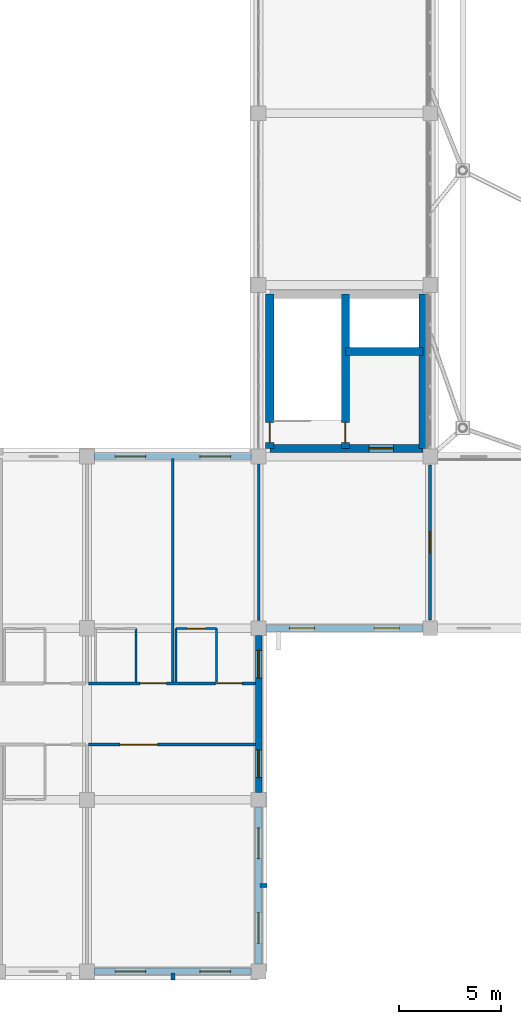
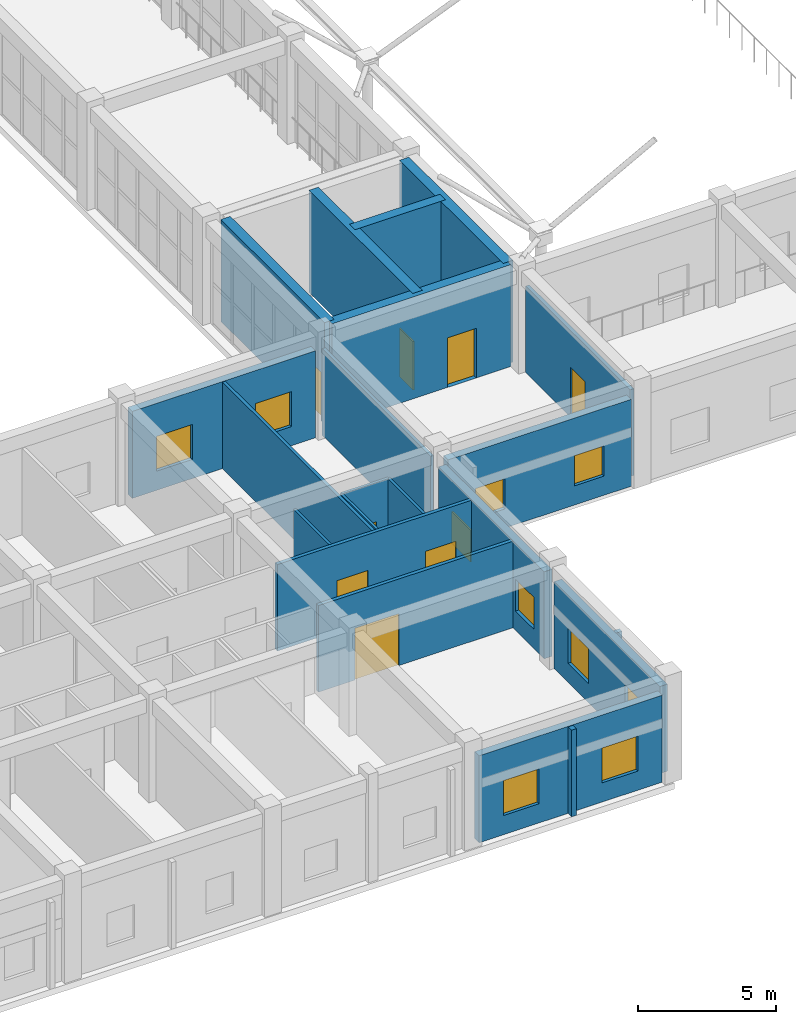
# One storey, part 135 of 158: 21 walls, 10 windows, 8 doors, 18 openings.
"""IFC4 building model written with IfcOpenShell, lengths in metres."""

from ifc_helpers import new_model, si_unit, direction, frame, frame_2d, origin, place, context, subcontext, project, spatial, rectangle, extrude, material, layer, layer_set, type_object, element, fill, save


model = new_model("IFC4")

# Units and contexts
model_context = context("Model", 3, precision=1e-05, world=origin(), true_north=direction((0.0, 1.0)))
body_context = subcontext(model_context, "Body", "Model", "MODEL_VIEW")
ifc_project = project(units=[si_unit("LENGTHUNIT", "METRE"), si_unit("AREAUNIT", "SQUARE_METRE"), si_unit("VOLUMEUNIT", "CUBIC_METRE"), si_unit("PLANEANGLEUNIT", "RADIAN"), si_unit("MASSUNIT", "GRAM", prefix="KILO")], contexts=[model_context])

# Site, building, storey
site_placement = place(None, origin())
site = spatial("IfcSite", under=ifc_project, at=site_placement, CompositionType="ELEMENT")
building_placement = place(site_placement, origin())
building = spatial("IfcBuilding", under=site, at=building_placement, Name="Trelvath General Hospital", CompositionType="ELEMENT")
storey_placement = place(building_placement, frame((0.0, 0.0, 8.10009765625)))
storey = spatial("IfcBuildingStorey", under=building, at=storey_placement, Name="L02", CompositionType="ELEMENT", Elevation=8.10009765625)

# Walls
ifc_material_1 = material(Name="Precast concrete C40/50", Category="concrete")
ifc_layer_1 = layer(ifc_material_1, 0.199951171875)
ifc_layer_set_1 = layer_set([ifc_layer_1], Name="Precast concrete C40/50")
wall_type_1 = type_object("IfcWallType", Name="BriseSoleilRib 200", PredefinedType="ELEMENTEDWALL", material=ifc_layer_set_1)
wall_1_placement = place(storey_placement, frame((130.199951171875, -0.074951171875, 0.0), z_axis=(0.0, 0.0, 1.0), x_axis=(0.0, -1.0, 0.0)))
element("IfcWall", 1, at=wall_1_placement, inside=storey, type_object=wall_type_1, Name="Precast Concrete Brise-Soleil Rib Fin L02-219", PredefinedType="ELEMENTEDWALL", context=body_context, shape_type="SweptSolid", body=[
    extrude(rectangle(XDim=0.340087890625, YDim=0.199951171875, at=frame_2d((0.169921875, 0.0))), origin(), (0.0, 0.0, 1.0), 3.83984375),
])
wall_2_placement = place(storey_placement, frame((134.47509765625, 4.199951171875, 0.0), z_axis=(0.0, 0.0, 1.0), x_axis=(1.0, 0.0, 0.0)))
element("IfcWall", 2, at=wall_2_placement, inside=storey, type_object=wall_type_1, Name="Precast Concrete Brise-Soleil Rib Fin L02-220", PredefinedType="ELEMENTEDWALL", context=body_context, shape_type="SweptSolid", body=[
    extrude(rectangle(XDim=0.33984375, YDim=0.199951171875, at=frame_2d((0.169921875, 0.0))), origin(), (0.0, 0.0, 1.0), 3.83984375),
])

# Wall, opening, door
ifc_material_2 = material(Name="Gypsum acoustic steel-stud partition", Category="steel")
ifc_layer_2 = layer(ifc_material_2, 0.14990234375)
ifc_layer_set_2 = layer_set([ifc_layer_2], Name="Gypsum acoustic steel-stud partition")
wall_type_2 = type_object("IfcWallType", Name="ClinicalPartition 150", PredefinedType="PARTITIONING", material=ifc_layer_set_2)
wall_3_placement = place(storey_placement, frame((126.080078125, 11.10009765625, 0.0), z_axis=(0.0, 0.0, 1.0), x_axis=(1.0, 0.0, 0.0)))
wall_3 = element("IfcWall", 3, at=wall_3_placement, inside=storey, type_object=wall_type_2, Name="Corridor Partition L02-845", PredefinedType="PARTITIONING", context=body_context, shape_type="SweptSolid", body=[
    extrude(rectangle(XDim=8.179931640625, YDim=0.14990234375, at=frame_2d((4.08984375, 0.0))), origin(), (0.0, 0.0, 1.0), 3.83984375),
])
opening_1_placement = place(wall_3_placement, frame((1.530029296875, 0.0, 0.0)))
opening_1 = element("IfcOpeningElement", 4, at=opening_1_placement, cuts=wall_3, Name="Opening D-2-0708", PredefinedType="OPENING", context=body_context, shape_type="SweptSolid", body=[
    extrude(rectangle(XDim=1.85009765625, YDim=2.300048828125, at=frame_2d((0.925048828125, 1.14990234375))), frame((0.0, 0.0849609375, 0.0), z_axis=(0.0, -1.0, 0.0), x_axis=(1.0, 0.0, 0.0)), (0.0, 0.0, 1.0), 0.169921875),
])
ifc_material_3 = material(Name="Fire-rated steel cross-corridor pair", Category="steel")
door_type_1 = type_object("IfcDoorType", Name="Door SmokeCross 1850x2300", OperationType="DOUBLE_SWING_LEFT", PredefinedType="DOOR", material=ifc_material_3)
door_1_placement = place(opening_1_placement, origin())
door_1 = element("IfcDoor", 5, at=door_1_placement, inside=storey, type_object=door_type_1, Name="Waiting Lounge Door L02-708", OperationType="DOUBLE_SWING_LEFT", OverallHeight=2.300048828125, OverallWidth=1.85009765625, PredefinedType="DOOR", context=body_context, shape_type="SweptSolid", body=[
    extrude(rectangle(XDim=1.85009765625, YDim=2.300048828125, at=frame_2d((0.925048828125, 1.14990234375))), frame((0.0, 0.02490234375, 0.0), z_axis=(0.0, -1.0, 0.0), x_axis=(1.0, 0.0, 0.0)), (0.0, 0.0, 1.0), 0.050048828125),
])
fill(opening_1, door_1)

# Wall, openings, doors
wall_4_placement = place(storey_placement, frame((134.260009765625, 14.10009765625, 0.0), z_axis=(0.0, 0.0, 1.0), x_axis=(-1.0, 0.0, 0.0)))
wall_4 = element("IfcWall", 6, at=wall_4_placement, inside=storey, type_object=wall_type_2, Name="Corridor Partition N L02-846", PredefinedType="PARTITIONING", context=body_context, shape_type="SweptSolid", body=[
    extrude(rectangle(XDim=8.179931640625, YDim=0.14990234375, at=frame_2d((4.08984375, 0.0))), origin(), (0.0, 0.0, 1.0), 3.83984375),
])
opening_2_placement = place(wall_4_placement, frame((0.669921875, 0.0, 0.0)))
opening_2 = element("IfcOpeningElement", 7, at=opening_2_placement, cuts=wall_4, Name="Opening D-2-0709", PredefinedType="OPENING", context=body_context, shape_type="SweptSolid", body=[
    extrude(rectangle(XDim=1.300048828125, YDim=2.25, at=frame_2d((0.64990234375, 1.125))), frame((0.0, 0.0849609375, 0.0), z_axis=(0.0, -1.0, 0.0), x_axis=(1.0, 0.0, 0.0)), (0.0, 0.0, 1.0), 0.169921875),
])
opening_3_placement = place(wall_4_placement, frame((4.3701171875, 0.0, 0.0)))
opening_3 = element("IfcOpeningElement", 8, at=opening_3_placement, cuts=wall_4, Name="Opening D-2-0710", PredefinedType="OPENING", context=body_context, shape_type="SweptSolid", body=[
    extrude(rectangle(XDim=1.300048828125, YDim=2.25, at=frame_2d((0.64990234375, 1.125))), frame((0.0, 0.0849609375, 0.0), z_axis=(0.0, -1.0, 0.0), x_axis=(1.0, 0.0, 0.0)), (0.0, 0.0, 1.0), 0.169921875),
])
ifc_material_4 = material(Name="Hospital bed-leaf timber door", Category="wood")
door_type_2 = type_object("IfcDoorType", Name="Door PatientBed 1300x2250", OperationType="NOTDEFINED", PredefinedType="DOOR", material=ifc_material_4)
door_2_placement = place(opening_2_placement, origin())
door_2 = element("IfcDoor", 9, at=door_2_placement, inside=storey, type_object=door_type_2, Name="Patient Room Door N L02-709", OperationType="SINGLE_SWING_LEFT", OverallHeight=2.25, OverallWidth=1.300048828125, PredefinedType="DOOR", context=body_context, shape_type="SweptSolid", body=[
    extrude(rectangle(XDim=1.300048828125, YDim=2.25, at=frame_2d((0.64990234375, 1.125))), frame((0.0, 0.02490234375, 0.0), z_axis=(0.0, -1.0, 0.0), x_axis=(1.0, 0.0, 0.0)), (0.0, 0.0, 1.0), 0.050048828125),
])
fill(opening_2, door_2)
door_3_placement = place(opening_3_placement, origin())
door_3 = element("IfcDoor", 10, at=door_3_placement, inside=storey, type_object=door_type_2, Name="Patient Room Door N L02-710", OperationType="SINGLE_SWING_LEFT", OverallHeight=2.25, OverallWidth=1.300048828125, PredefinedType="DOOR", context=body_context, shape_type="SweptSolid", body=[
    extrude(rectangle(XDim=1.300048828125, YDim=2.25, at=frame_2d((0.64990234375, 1.125))), frame((0.0, 0.02490234375, 0.0), z_axis=(0.0, -1.0, 0.0), x_axis=(1.0, 0.0, 0.0)), (0.0, 0.0, 1.0), 0.050048828125),
])
fill(opening_3, door_3)

# Wall, opening, door
wall_5_placement = place(storey_placement, frame((142.800048828125, 17.199951171875, 0.0), z_axis=(0.0, 0.0, 1.0), x_axis=(0.0, 1.0, 0.0)))
wall_5 = element("IfcWall", 11, at=wall_5_placement, inside=storey, type_object=wall_type_2, Name="Comm Health L02 Partition L02-1049", PredefinedType="PARTITIONING", context=body_context, shape_type="SweptSolid", body=[
    extrude(rectangle(XDim=7.60009765625, YDim=0.14990234375, at=frame_2d((3.800048828125, 0.0))), origin(), (0.0, 0.0, 1.0), 3.83984375),
])
opening_4_placement = place(wall_5_placement, frame((3.27490234375, 0.0, 0.0)))
opening_4 = element("IfcOpeningElement", 12, at=opening_4_placement, cuts=wall_5, Name="Opening D-2-0808", PredefinedType="OPENING", context=body_context, shape_type="SweptSolid", body=[
    extrude(rectangle(XDim=1.050048828125, YDim=2.199951171875, at=frame_2d((0.52490234375, 1.10009765625))), frame((0.0, 0.0849609375, 0.0), z_axis=(0.0, -1.0, 0.0), x_axis=(1.0, 0.0, 0.0)), (0.0, 0.0, 1.0), 0.169921875),
])
ifc_material_5 = material(Name="Acoustic hospital timber leaf", Category="wood")
door_type_3 = type_object("IfcDoorType", Name="Door Consult 1050x2200", OperationType="NOTDEFINED", PredefinedType="DOOR", material=ifc_material_5)
door_4_placement = place(opening_4_placement, origin())
door_4 = element("IfcDoor", 13, at=door_4_placement, inside=storey, type_object=door_type_3, Name="Comm Health L02 Door L02-808", OperationType="SINGLE_SWING_RIGHT", OverallHeight=2.199951171875, OverallWidth=1.050048828125, PredefinedType="DOOR", context=body_context, shape_type="SweptSolid", body=[
    extrude(rectangle(XDim=1.050048828125, YDim=2.199951171875, at=frame_2d((0.52490234375, 1.10009765625))), frame((0.0, 0.02490234375, 0.0), z_axis=(0.0, -1.0, 0.0), x_axis=(1.0, 0.0, 0.0)), (0.0, 0.0, 1.0), 0.050048828125),
])
fill(opening_4, door_4)

ifc_material_6 = material(Name="Concrete C40/50", Category="concrete")
ifc_layer_3 = layer(ifc_material_6, 0.39990234375)
ifc_layer_set_3 = layer_set([ifc_layer_3], Name="Concrete C40/50")
wall_type_3 = type_object("IfcWallType", Name="CoreShearWall 400", PredefinedType="SHEAR", material=ifc_layer_set_3)
wall_6_placement = place(storey_placement, frame((134.949951171875, 25.60009765625, 0.0), z_axis=(0.0, 0.0, 1.0), x_axis=(1.0, 0.0, 0.0)))
wall_6 = element("IfcWall", 14, at=wall_6_placement, inside=storey, type_object=wall_type_3, Name="Core Shear Wall C7 S L02", PredefinedType="SHEAR", context=body_context, shape_type="SweptSolid", body=[
    extrude(rectangle(XDim=7.5, YDim=0.39990234375, at=frame_2d((3.75, 0.0))), origin(), (0.0, 0.0, 1.0), 4.52001953125),
])
opening_5_placement = place(wall_6_placement, frame((4.85009765625, 0.0, 0.0)))
opening_5 = element("IfcOpeningElement", 15, at=opening_5_placement, cuts=wall_6, Name="Opening FD-LS72", PredefinedType="OPENING", context=body_context, shape_type="SweptSolid", body=[
    extrude(rectangle(XDim=1.199951171875, YDim=2.199951171875, at=frame_2d((0.60009765625, 1.10009765625))), frame((0.0, 0.2099609375, 0.0), z_axis=(0.0, -1.0, 0.0), x_axis=(1.0, 0.0, 0.0)), (0.0, 0.0, 1.0), 0.419921875),
])
ifc_material_7 = material(Name="Fire-rated steel door", Category="steel")
door_type_4 = type_object("IfcDoorType", Name="Door FireLobby 1200x2200", OperationType="NOTDEFINED", PredefinedType="DOOR", material=ifc_material_7)
door_5_placement = place(opening_5_placement, origin())
door_5 = element("IfcDoor", 16, at=door_5_placement, inside=storey, type_object=door_type_4, Name="Fire Lobby South Concourse Door C7 L02", OperationType="SINGLE_SWING_LEFT", OverallHeight=2.199951171875, OverallWidth=1.199951171875, PredefinedType="DOOR", context=body_context, shape_type="SweptSolid", body=[
    extrude(rectangle(XDim=1.199951171875, YDim=2.199951171875, at=frame_2d((0.60009765625, 1.10009765625))), frame((0.0, 0.02490234375, 0.0), z_axis=(0.0, -1.0, 0.0), x_axis=(1.0, 0.0, 0.0)), (0.0, 0.0, 1.0), 0.050048828125),
])
fill(opening_5, door_5)

wall_7_placement = place(storey_placement, frame((134.949951171875, 25.60009765625, 0.0), z_axis=(0.0, 0.0, 1.0), x_axis=(0.0, 1.0, 0.0)))
wall_7 = element("IfcWall", 17, at=wall_7_placement, inside=storey, type_object=wall_type_3, Name="Core Shear Wall C7 W L02", PredefinedType="SHEAR", context=body_context, shape_type="SweptSolid", body=[
    extrude(rectangle(XDim=7.5498046875, YDim=0.39990234375, at=frame_2d((3.77490234375, 0.0))), origin(), (0.0, 0.0, 1.0), 4.52001953125),
])
opening_6_placement = place(wall_7_placement, frame((0.280029296875, 0.0, 0.0)))
opening_6 = element("IfcOpeningElement", 18, at=opening_6_placement, cuts=wall_7, Name="Opening FD-SW72", PredefinedType="OPENING", context=body_context, shape_type="SweptSolid", body=[
    extrude(rectangle(XDim=1.0, YDim=2.14990234375, at=frame_2d((0.5, 1.074951171875))), frame((0.0, 0.2099609375, 0.0), z_axis=(0.0, -1.0, 0.0), x_axis=(1.0, 0.0, 0.0)), (0.0, 0.0, 1.0), 0.419921875),
])
ifc_material_8 = material(Name="Fire-rated steel door", Category="steel")
door_type_5 = type_object("IfcDoorType", Name="Door FireStair 1100x2150", OperationType="NOTDEFINED", PredefinedType="DOOR", material=ifc_material_8)
door_6_placement = place(opening_6_placement, origin())
door_6 = element("IfcDoor", 19, at=door_6_placement, inside=storey, type_object=door_type_5, Name="East Concourse Stair Door ST7 L02", OperationType="SINGLE_SWING_RIGHT", OverallHeight=2.14990234375, OverallWidth=1.0, PredefinedType="DOOR", context=body_context, shape_type="SweptSolid", body=[
    extrude(rectangle(XDim=1.0, YDim=2.14990234375, at=frame_2d((0.5, 1.074951171875))), frame((0.0, 0.02490234375, 0.0), z_axis=(0.0, -1.0, 0.0), x_axis=(1.0, 0.0, 0.0)), (0.0, 0.0, 1.0), 0.050048828125),
])
fill(opening_6, door_6)

# Wall
wall_8_placement = place(storey_placement, frame((142.449951171875, 25.60009765625, 0.0), z_axis=(0.0, 0.0, 1.0), x_axis=(0.0, 1.0, 0.0)))
element("IfcWall", 20, at=wall_8_placement, inside=storey, type_object=wall_type_3, Name="Core Shear Wall C7 E L02", PredefinedType="SHEAR", context=body_context, shape_type="SweptSolid", body=[
    extrude(rectangle(XDim=7.5498046875, YDim=0.39990234375, at=frame_2d((3.77490234375, 0.0))), origin(), (0.0, 0.0, 1.0), 4.52001953125),
])

# Wall, opening, door
wall_9_placement = place(storey_placement, frame((138.64990234375, 25.60009765625, 0.0), z_axis=(0.0, 0.0, 1.0), x_axis=(0.0, 1.0, 0.0)))
wall_9 = element("IfcWall", 21, at=wall_9_placement, inside=storey, type_object=wall_type_3, Name="Core Shear Wall C7 SPINE L02", PredefinedType="SHEAR", context=body_context, shape_type="SweptSolid", body=[
    extrude(rectangle(XDim=7.5498046875, YDim=0.39990234375, at=frame_2d((3.77490234375, 0.0))), origin(), (0.0, 0.0, 1.0), 4.52001953125),
])
opening_7_placement = place(wall_9_placement, frame((0.280029296875, 0.0, 0.0)))
opening_7 = element("IfcOpeningElement", 22, at=opening_7_placement, cuts=wall_9, Name="Opening FD-S72", PredefinedType="OPENING", context=body_context, shape_type="SweptSolid", body=[
    extrude(rectangle(XDim=1.0, YDim=2.14990234375, at=frame_2d((0.5, 1.074951171875))), frame((0.0, 0.2099609375, 0.0), z_axis=(0.0, -1.0, 0.0), x_axis=(1.0, 0.0, 0.0)), (0.0, 0.0, 1.0), 0.419921875),
])
door_7_placement = place(opening_7_placement, origin())
door_7 = element("IfcDoor", 23, at=door_7_placement, inside=storey, type_object=door_type_5, Name="Exit Stair Door ST7 L02", OperationType="SINGLE_SWING_LEFT", OverallHeight=2.14990234375, OverallWidth=1.0, PredefinedType="DOOR", context=body_context, shape_type="SweptSolid", body=[
    extrude(rectangle(XDim=1.0, YDim=2.14990234375, at=frame_2d((0.5, 1.074951171875))), frame((0.0, 0.02490234375, 0.0), z_axis=(0.0, -1.0, 0.0), x_axis=(1.0, 0.0, 0.0)), (0.0, 0.0, 1.0), 0.050048828125),
])
fill(opening_7, door_7)

# Walls
wall_10_placement = place(storey_placement, frame((138.64990234375, 30.35009765625, 0.0), z_axis=(0.0, 0.0, 1.0), x_axis=(1.0, 0.0, 0.0)))
element("IfcWall", 24, at=wall_10_placement, inside=storey, type_object=wall_type_3, Name="Core Shear Wall C7 SHAFT L02", PredefinedType="SHEAR", context=body_context, shape_type="SweptSolid", body=[
    extrude(rectangle(XDim=3.800048828125, YDim=0.39990234375, at=frame_2d((1.89990234375, 0.0))), origin(), (0.0, 0.0, 1.0), 4.52001953125),
])
ifc_material_9 = material(Name="Moisture-resistant tile partition")
ifc_layer_4 = layer(ifc_material_9, 0.110107421875)
ifc_layer_set_4 = layer_set([ifc_layer_4], Name="Moisture-resistant tile partition")
wall_type_4 = type_object("IfcWallType", Name="EnSuiteWetWall 110", PredefinedType="PARTITIONING", material=ifc_layer_set_4)
for number, where, z_axis, x_axis, name in (
    (25, (128.39990234375, 14.169921875, 0.0), (0.0, 0.0, 1.0), (0.0, 1.0, 0.0), "En-Suite E Wall N L02-849"),
    (26, (130.360107421875, 14.169921875, 0.0), (0.0, 0.0, 1.0), (0.0, 1.0, 0.0), "En-Suite W Wall N L02-851"),
    (27, (132.340087890625, 14.169921875, 0.0), (0.0, 0.0, 1.0), (0.0, 1.0, 0.0), "En-Suite E Wall N L02-852"),
):
    element("IfcWall", number, at=place(storey_placement, frame(where, z_axis=z_axis, x_axis=x_axis)), inside=storey, type_object=wall_type_4, Name=name, PredefinedType="PARTITIONING", context=body_context, shape_type="SweptSolid", body=[
        extrude(rectangle(XDim=2.610107421875, YDim=0.110107421875, at=frame_2d((1.30517578125, 0.0))), origin(), (0.0, 0.0, 1.0), 3.83984375),
    ])

# Wall, opening, door
wall_11_placement = place(storey_placement, frame((130.360107421875, 16.780029296875, 0.0), z_axis=(0.0, 0.0, 1.0), x_axis=(1.0, 0.0, 0.0)))
wall_11 = element("IfcWall", 28, at=wall_11_placement, inside=storey, type_object=wall_type_4, Name="En-Suite Bathroom N Partition L02-853", PredefinedType="PARTITIONING", context=body_context, shape_type="SweptSolid", body=[
    extrude(rectangle(XDim=1.97998046875, YDim=0.110107421875, at=frame_2d((0.989990234375, 0.0))), origin(), (0.0, 0.0, 1.0), 3.83984375),
])
opening_8_placement = place(wall_11_placement, frame((0.5400390625, 0.0, 0.0)))
opening_8 = element("IfcOpeningElement", 29, at=opening_8_placement, cuts=wall_11, Name="Opening D-2-0712", PredefinedType="OPENING", context=body_context, shape_type="SweptSolid", body=[
    extrude(rectangle(XDim=0.89990234375, YDim=2.10009765625, at=frame_2d((0.449951171875, 1.050048828125))), frame((0.0, 0.06494140625, 0.0), z_axis=(0.0, -1.0, 0.0), x_axis=(1.0, 0.0, 0.0)), (0.0, 0.0, 1.0), 0.130126953125),
])
ifc_material_10 = material(Name="Moisture-sealed timber leaf", Category="wood")
door_type_6 = type_object("IfcDoorType", Name="Door EnSuite 900x2100", OperationType="NOTDEFINED", PredefinedType="DOOR", material=ifc_material_10)
door_8_placement = place(opening_8_placement, origin())
door_8 = element("IfcDoor", 30, at=door_8_placement, inside=storey, type_object=door_type_6, Name="En-Suite Bathroom N Door L02-712", OperationType="SINGLE_SWING_LEFT", OverallHeight=2.10009765625, OverallWidth=0.89990234375, PredefinedType="DOOR", context=body_context, shape_type="SweptSolid", body=[
    extrude(rectangle(XDim=0.89990234375, YDim=2.10009765625, at=frame_2d((0.449951171875, 1.050048828125))), frame((0.0, 0.02490234375, 0.0), z_axis=(0.0, -1.0, 0.0), x_axis=(1.0, 0.0, 0.0)), (0.0, 0.0, 1.0), 0.050048828125),
])
fill(opening_8, door_8)

# Wall, openings, windows
ifc_material_11 = material(Name="Concrete C35/45", Category="concrete")
ifc_layer_5 = layer(ifc_material_11, 0.320068359375)
ifc_layer_set_5 = layer_set([ifc_layer_5], Name="Concrete C35/45")
wall_type_5 = type_object("IfcWallType", Name="ExtThermalWall 320", PredefinedType="SOLIDWALL", material=ifc_layer_set_5)
wall_12_placement = place(storey_placement, frame((134.044921875, 0.0, 0.0), z_axis=(0.0, 0.0, 1.0), x_axis=(-1.0, 0.0, 0.0)))
wall_12 = element("IfcWall", 31, at=wall_12_placement, inside=storey, type_object=wall_type_5, Name="Exterior Concrete Wall L02-296", PredefinedType="SOLIDWALL", context=body_context, shape_type="SweptSolid", body=[
    extrude(rectangle(XDim=7.68994140625, YDim=0.320068359375, at=frame_2d((3.844970703125, 0.0))), origin(), (0.0, 0.0, 1.0), 3.85986328125),
])
opening_9_placement = place(wall_12_placement, frame((1.018798828125, 0.0, 0.85009765625)))
opening_9 = element("IfcOpeningElement", 32, at=opening_9_placement, cuts=wall_12, Name="Opening WN-2-469", PredefinedType="OPENING", context=body_context, shape_type="SweptSolid", body=[
    extrude(rectangle(XDim=1.5, YDim=1.550048828125, at=frame_2d((0.75, 0.77490234375))), frame((0.0, 0.169921875, 0.0), z_axis=(0.0, -1.0, 0.0), x_axis=(1.0, 0.0, 0.0)), (0.0, 0.0, 1.0), 0.340087890625),
])
opening_10_placement = place(wall_12_placement, frame((5.17138671875, 0.0, 0.85009765625)))
opening_10 = element("IfcOpeningElement", 33, at=opening_10_placement, cuts=wall_12, Name="Opening WN-2-470", PredefinedType="OPENING", context=body_context, shape_type="SweptSolid", body=[
    extrude(rectangle(XDim=1.5, YDim=1.550048828125, at=frame_2d((0.75, 0.77490234375))), frame((0.0, 0.169921875, 0.0), z_axis=(0.0, -1.0, 0.0), x_axis=(1.0, 0.0, 0.0)), (0.0, 0.0, 1.0), 0.340087890625),
])
ifc_material_12 = material(Name="Low-E laminated glass", Category="glass")
window_type_1 = type_object("IfcWindowType", Name="Window Ortho 1500x1550", PartitioningType="DOUBLE_PANEL_VERTICAL", PredefinedType="WINDOW", material=ifc_material_12)
window_1_placement = place(opening_9_placement, origin())
window_1 = element("IfcWindow", 34, at=window_1_placement, inside=storey, type_object=window_type_1, Name="Solar Reveal Window L02-469", OverallHeight=1.550048828125, OverallWidth=1.5, PartitioningType="SINGLE_PANEL", PredefinedType="WINDOW", context=body_context, shape_type="SweptSolid", body=[
    extrude(rectangle(XDim=1.5, YDim=1.550048828125, at=frame_2d((0.75, 0.77490234375))), frame((0.0, 0.030029296875, 0.0), z_axis=(0.0, -1.0, 0.0), x_axis=(1.0, 0.0, 0.0)), (0.0, 0.0, 1.0), 0.06005859375),
])
fill(opening_9, window_1)
window_2_placement = place(opening_10_placement, origin())
window_2 = element("IfcWindow", 35, at=window_2_placement, inside=storey, type_object=window_type_1, Name="Solar Reveal Window L02-470", OverallHeight=1.550048828125, OverallWidth=1.5, PartitioningType="SINGLE_PANEL", PredefinedType="WINDOW", context=body_context, shape_type="SweptSolid", body=[
    extrude(rectangle(XDim=1.5, YDim=1.550048828125, at=frame_2d((0.75, 0.77490234375))), frame((0.0, 0.030029296875, 0.0), z_axis=(0.0, -1.0, 0.0), x_axis=(1.0, 0.0, 0.0)), (0.0, 0.0, 1.0), 0.06005859375),
])
fill(opening_10, window_2)

wall_13_placement = place(storey_placement, frame((134.39990234375, 8.044921875, 0.0), z_axis=(0.0, 0.0, 1.0), x_axis=(0.0, -1.0, 0.0)))
wall_13 = element("IfcWall", 36, at=wall_13_placement, inside=storey, type_object=wall_type_5, Name="Exterior Concrete Wall L02-297", PredefinedType="SOLIDWALL", context=body_context, shape_type="SweptSolid", body=[
    extrude(rectangle(XDim=7.68994140625, YDim=0.320068359375, at=frame_2d((3.844970703125, 0.0))), origin(), (0.0, 0.0, 1.0), 3.85986328125),
])
opening_11_placement = place(wall_13_placement, frame((1.018798828125, 0.0, 0.85009765625)))
opening_11 = element("IfcOpeningElement", 37, at=opening_11_placement, cuts=wall_13, Name="Opening WN-2-471", PredefinedType="OPENING", context=body_context, shape_type="SweptSolid", body=[
    extrude(rectangle(XDim=1.5, YDim=1.550048828125, at=frame_2d((0.75, 0.77490234375))), frame((0.0, 0.169921875, 0.0), z_axis=(0.0, -1.0, 0.0), x_axis=(1.0, 0.0, 0.0)), (0.0, 0.0, 1.0), 0.340087890625),
])
opening_12_placement = place(wall_13_placement, frame((5.17138671875, 0.0, 0.85009765625)))
opening_12 = element("IfcOpeningElement", 38, at=opening_12_placement, cuts=wall_13, Name="Opening WN-2-472", PredefinedType="OPENING", context=body_context, shape_type="SweptSolid", body=[
    extrude(rectangle(XDim=1.5, YDim=1.550048828125, at=frame_2d((0.75, 0.77490234375))), frame((0.0, 0.169921875, 0.0), z_axis=(0.0, -1.0, 0.0), x_axis=(1.0, 0.0, 0.0)), (0.0, 0.0, 1.0), 0.340087890625),
])
window_3_placement = place(opening_11_placement, origin())
window_3 = element("IfcWindow", 39, at=window_3_placement, inside=storey, type_object=window_type_1, Name="Solar Reveal Window L02-471", OverallHeight=1.550048828125, OverallWidth=1.5, PartitioningType="SINGLE_PANEL", PredefinedType="WINDOW", context=body_context, shape_type="SweptSolid", body=[
    extrude(rectangle(XDim=1.5, YDim=1.550048828125, at=frame_2d((0.75, 0.77490234375))), frame((0.0, 0.030029296875, 0.0), z_axis=(0.0, -1.0, 0.0), x_axis=(1.0, 0.0, 0.0)), (0.0, 0.0, 1.0), 0.06005859375),
])
fill(opening_11, window_3)
window_4_placement = place(opening_12_placement, origin())
window_4 = element("IfcWindow", 40, at=window_4_placement, inside=storey, type_object=window_type_1, Name="Solar Reveal Window L02-472", OverallHeight=1.550048828125, OverallWidth=1.5, PartitioningType="SINGLE_PANEL", PredefinedType="WINDOW", context=body_context, shape_type="SweptSolid", body=[
    extrude(rectangle(XDim=1.5, YDim=1.550048828125, at=frame_2d((0.75, 0.77490234375))), frame((0.0, 0.030029296875, 0.0), z_axis=(0.0, -1.0, 0.0), x_axis=(1.0, 0.0, 0.0)), (0.0, 0.0, 1.0), 0.06005859375),
])
fill(opening_12, window_4)

wall_14_placement = place(storey_placement, frame((134.39990234375, 16.445068359375, 0.0), z_axis=(0.0, 0.0, 1.0), x_axis=(0.0, -1.0, 0.0)))
wall_14 = element("IfcWall", 41, at=wall_14_placement, inside=storey, type_object=wall_type_5, Name="Exterior Concrete Wall L02-298", PredefinedType="SOLIDWALL", context=body_context, shape_type="SweptSolid", body=[
    extrude(rectangle(XDim=7.690185546875, YDim=0.320068359375, at=frame_2d((3.84521484375, 0.0))), origin(), (0.0, 0.0, 1.0), 3.85986328125),
])
opening_13_placement = place(wall_14_placement, frame((0.72998046875, 0.0, 0.85009765625)))
opening_13 = element("IfcOpeningElement", 42, at=opening_13_placement, cuts=wall_14, Name="Opening WN-2-473", PredefinedType="OPENING", context=body_context, shape_type="SweptSolid", body=[
    extrude(rectangle(XDim=1.360107421875, YDim=1.419921875, at=frame_2d((0.68017578125, 0.7099609375))), frame((0.0, 0.169921875, 0.0), z_axis=(0.0, -1.0, 0.0), x_axis=(1.0, 0.0, 0.0)), (0.0, 0.0, 1.0), 0.340087890625),
])
opening_14_placement = place(wall_14_placement, frame((5.60009765625, 0.0, 0.85009765625)))
opening_14 = element("IfcOpeningElement", 43, at=opening_14_placement, cuts=wall_14, Name="Opening WN-2-474", PredefinedType="OPENING", context=body_context, shape_type="SweptSolid", body=[
    extrude(rectangle(XDim=1.360107421875, YDim=1.419921875, at=frame_2d((0.68017578125, 0.7099609375))), frame((0.0, 0.169921875, 0.0), z_axis=(0.0, -1.0, 0.0), x_axis=(1.0, 0.0, 0.0)), (0.0, 0.0, 1.0), 0.340087890625),
])
ifc_material_13 = material(Name="Low-E laminated glass", Category="glass")
window_type_2 = type_object("IfcWindowType", Name="Window Pathology 1360x1420", PartitioningType="DOUBLE_PANEL_VERTICAL", PredefinedType="WINDOW", material=ifc_material_13)
window_5_placement = place(opening_13_placement, origin())
window_5 = element("IfcWindow", 44, at=window_5_placement, inside=storey, type_object=window_type_2, Name="Solar Reveal Window L02-473", OverallHeight=1.419921875, OverallWidth=1.360107421875, PartitioningType="SINGLE_PANEL", PredefinedType="WINDOW", context=body_context, shape_type="SweptSolid", body=[
    extrude(rectangle(XDim=1.360107421875, YDim=1.419921875, at=frame_2d((0.68017578125, 0.7099609375))), frame((0.0, 0.030029296875, 0.0), z_axis=(0.0, -1.0, 0.0), x_axis=(1.0, 0.0, 0.0)), (0.0, 0.0, 1.0), 0.06005859375),
])
fill(opening_13, window_5)
window_6_placement = place(opening_14_placement, origin())
window_6 = element("IfcWindow", 45, at=window_6_placement, inside=storey, type_object=window_type_2, Name="Solar Reveal Window L02-474", OverallHeight=1.419921875, OverallWidth=1.360107421875, PartitioningType="SINGLE_PANEL", PredefinedType="WINDOW", context=body_context, shape_type="SweptSolid", body=[
    extrude(rectangle(XDim=1.360107421875, YDim=1.419921875, at=frame_2d((0.68017578125, 0.7099609375))), frame((0.0, 0.030029296875, 0.0), z_axis=(0.0, -1.0, 0.0), x_axis=(1.0, 0.0, 0.0)), (0.0, 0.0, 1.0), 0.06005859375),
])
fill(opening_14, window_6)

wall_15_placement = place(storey_placement, frame((126.35498046875, 25.199951171875, 0.0), z_axis=(0.0, 0.0, 1.0), x_axis=(1.0, 0.0, 0.0)))
wall_15 = element("IfcWall", 46, at=wall_15_placement, inside=storey, type_object=wall_type_5, Name="Exterior Concrete Wall L02-299", PredefinedType="SOLIDWALL", context=body_context, shape_type="SweptSolid", body=[
    extrude(rectangle(XDim=7.68994140625, YDim=0.320068359375, at=frame_2d((3.844970703125, 0.0))), origin(), (0.0, 0.0, 1.0), 3.85986328125),
])
opening_15_placement = place(wall_15_placement, frame((1.018798828125, 0.0, 0.85009765625)))
opening_15 = element("IfcOpeningElement", 47, at=opening_15_placement, cuts=wall_15, Name="Opening WN-2-475", PredefinedType="OPENING", context=body_context, shape_type="SweptSolid", body=[
    extrude(rectangle(XDim=1.5, YDim=1.550048828125, at=frame_2d((0.75, 0.77490234375))), frame((0.0, 0.169921875, 0.0), z_axis=(0.0, -1.0, 0.0), x_axis=(1.0, 0.0, 0.0)), (0.0, 0.0, 1.0), 0.340087890625),
])
opening_16_placement = place(wall_15_placement, frame((5.17138671875, 0.0, 0.85009765625)))
opening_16 = element("IfcOpeningElement", 48, at=opening_16_placement, cuts=wall_15, Name="Opening WN-2-476", PredefinedType="OPENING", context=body_context, shape_type="SweptSolid", body=[
    extrude(rectangle(XDim=1.5, YDim=1.550048828125, at=frame_2d((0.75, 0.77490234375))), frame((0.0, 0.169921875, 0.0), z_axis=(0.0, -1.0, 0.0), x_axis=(1.0, 0.0, 0.0)), (0.0, 0.0, 1.0), 0.340087890625),
])
window_7_placement = place(opening_15_placement, origin())
window_7 = element("IfcWindow", 49, at=window_7_placement, inside=storey, type_object=window_type_1, Name="Solar Reveal Window L02-475", OverallHeight=1.550048828125, OverallWidth=1.5, PartitioningType="SINGLE_PANEL", PredefinedType="WINDOW", context=body_context, shape_type="SweptSolid", body=[
    extrude(rectangle(XDim=1.5, YDim=1.550048828125, at=frame_2d((0.75, 0.77490234375))), frame((0.0, 0.030029296875, 0.0), z_axis=(0.0, -1.0, 0.0), x_axis=(1.0, 0.0, 0.0)), (0.0, 0.0, 1.0), 0.06005859375),
])
fill(opening_15, window_7)
window_8_placement = place(opening_16_placement, origin())
window_8 = element("IfcWindow", 50, at=window_8_placement, inside=storey, type_object=window_type_1, Name="Solar Reveal Window L02-476", OverallHeight=1.550048828125, OverallWidth=1.5, PartitioningType="SINGLE_PANEL", PredefinedType="WINDOW", context=body_context, shape_type="SweptSolid", body=[
    extrude(rectangle(XDim=1.5, YDim=1.550048828125, at=frame_2d((0.75, 0.77490234375))), frame((0.0, 0.030029296875, 0.0), z_axis=(0.0, -1.0, 0.0), x_axis=(1.0, 0.0, 0.0)), (0.0, 0.0, 1.0), 0.06005859375),
])
fill(opening_16, window_8)

wall_16_placement = place(storey_placement, frame((142.445068359375, 16.800048828125, 0.0), z_axis=(0.0, 0.0, 1.0), x_axis=(-1.0, 0.0, 0.0)))
wall_16 = element("IfcWall", 51, at=wall_16_placement, inside=storey, type_object=wall_type_5, Name="Exterior Concrete Wall L02-305", PredefinedType="SOLIDWALL", context=body_context, shape_type="SweptSolid", body=[
    extrude(rectangle(XDim=7.690185546875, YDim=0.320068359375, at=frame_2d((3.84521484375, 0.0))), origin(), (0.0, 0.0, 1.0), 3.85986328125),
])
opening_17_placement = place(wall_16_placement, frame((1.148681640625, 0.0, 0.85009765625)))
opening_17 = element("IfcOpeningElement", 52, at=opening_17_placement, cuts=wall_16, Name="Opening WN-2-487", PredefinedType="OPENING", context=body_context, shape_type="SweptSolid", body=[
    extrude(rectangle(XDim=1.239990234375, YDim=1.340087890625, at=frame_2d((0.6201171875, 0.669921875))), frame((0.0, 0.169921875, 0.0), z_axis=(0.0, -1.0, 0.0), x_axis=(1.0, 0.0, 0.0)), (0.0, 0.0, 1.0), 0.340087890625),
])
opening_18_placement = place(wall_16_placement, frame((5.30126953125, 0.0, 0.85009765625)))
opening_18 = element("IfcOpeningElement", 53, at=opening_18_placement, cuts=wall_16, Name="Opening WN-2-488", PredefinedType="OPENING", context=body_context, shape_type="SweptSolid", body=[
    extrude(rectangle(XDim=1.239990234375, YDim=1.340087890625, at=frame_2d((0.6201171875, 0.669921875))), frame((0.0, 0.169921875, 0.0), z_axis=(0.0, -1.0, 0.0), x_axis=(1.0, 0.0, 0.0)), (0.0, 0.0, 1.0), 0.340087890625),
])
ifc_material_14 = material(Name="Low-E laminated glass", Category="glass")
window_type_3 = type_object("IfcWindowType", Name="Window Pharmacy 1240x1340", PartitioningType="DOUBLE_PANEL_VERTICAL", PredefinedType="WINDOW", material=ifc_material_14)
window_9_placement = place(opening_17_placement, origin())
window_9 = element("IfcWindow", 54, at=window_9_placement, inside=storey, type_object=window_type_3, Name="Solar Reveal Window L02-487", OverallHeight=1.340087890625, OverallWidth=1.239990234375, PartitioningType="SINGLE_PANEL", PredefinedType="WINDOW", context=body_context, shape_type="SweptSolid", body=[
    extrude(rectangle(XDim=1.239990234375, YDim=1.340087890625, at=frame_2d((0.6201171875, 0.669921875))), frame((0.0, 0.030029296875, 0.0), z_axis=(0.0, -1.0, 0.0), x_axis=(1.0, 0.0, 0.0)), (0.0, 0.0, 1.0), 0.06005859375),
])
fill(opening_17, window_9)
window_10_placement = place(opening_18_placement, origin())
window_10 = element("IfcWindow", 55, at=window_10_placement, inside=storey, type_object=window_type_3, Name="Solar Reveal Window L02-488", OverallHeight=1.340087890625, OverallWidth=1.239990234375, PartitioningType="SINGLE_PANEL", PredefinedType="WINDOW", context=body_context, shape_type="SweptSolid", body=[
    extrude(rectangle(XDim=1.239990234375, YDim=1.340087890625, at=frame_2d((0.6201171875, 0.669921875))), frame((0.0, 0.030029296875, 0.0), z_axis=(0.0, -1.0, 0.0), x_axis=(1.0, 0.0, 0.0)), (0.0, 0.0, 1.0), 0.06005859375),
])
fill(opening_18, window_10)

# Walls
ifc_material_15 = material(Name="Gypsum acoustic steel-stud partition", Category="steel")
ifc_layer_6 = layer(ifc_material_15, 0.1298828125)
ifc_layer_set_6 = layer_set([ifc_layer_6], Name="Gypsum acoustic steel-stud partition")
wall_type_6 = type_object("IfcWallType", Name="WardPartition 130", PredefinedType="PARTITIONING", material=ifc_layer_set_6)
wall_17_placement = place(storey_placement, frame((134.39990234375, 17.179931640625, 0.0), z_axis=(0.0, 0.0, 1.0), x_axis=(0.0, 1.0, 0.0)))
element("IfcWall", 56, at=wall_17_placement, inside=storey, type_object=wall_type_6, Name="East Volume Dividing Partition L02-844", PredefinedType="PARTITIONING", context=body_context, shape_type="SweptSolid", body=[
    extrude(rectangle(XDim=7.880126953125, YDim=0.1298828125, at=frame_2d((3.93994140625, 0.0))), origin(), (0.0, 0.0, 1.0), 3.83984375),
])
wall_18_placement = place(storey_placement, frame((130.199951171875, 14.169921875, 0.0), z_axis=(0.0, 0.0, 1.0), x_axis=(0.0, 1.0, 0.0)))
element("IfcWall", 57, at=wall_18_placement, inside=storey, type_object=wall_type_6, Name="Room Dividing Partition N L02-847", PredefinedType="PARTITIONING", context=body_context, shape_type="SweptSolid", body=[
    extrude(rectangle(XDim=10.93017578125, YDim=0.1298828125, at=frame_2d((5.465087890625, 0.0))), origin(), (0.0, 0.0, 1.0), 3.83984375),
])

save(model, "model.ifc")
